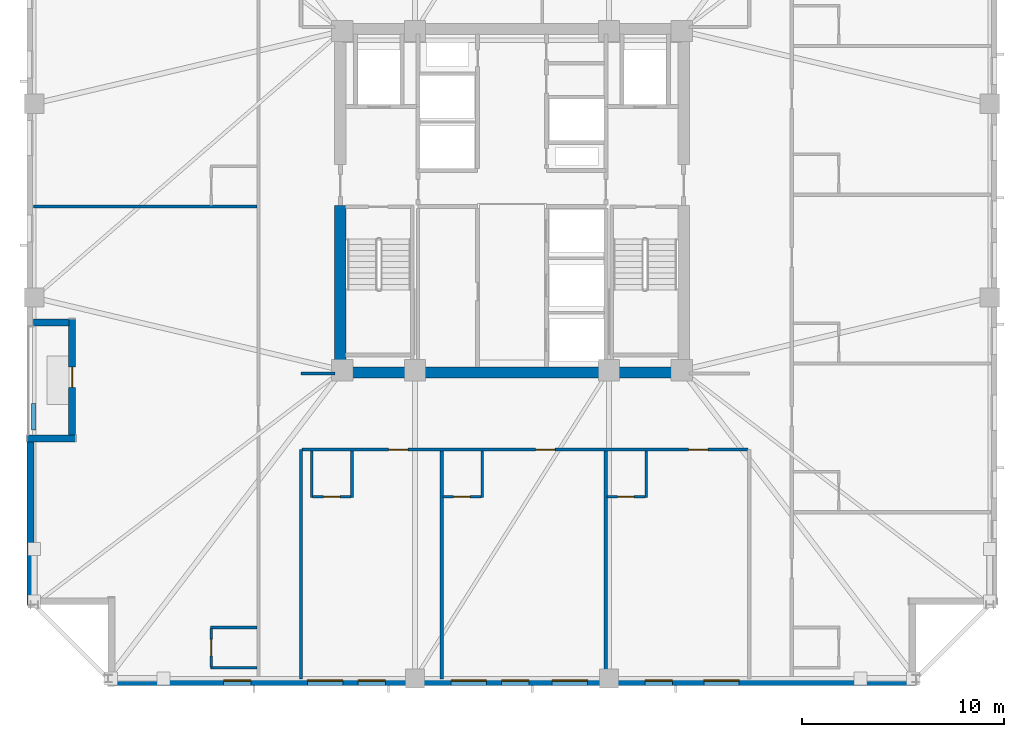
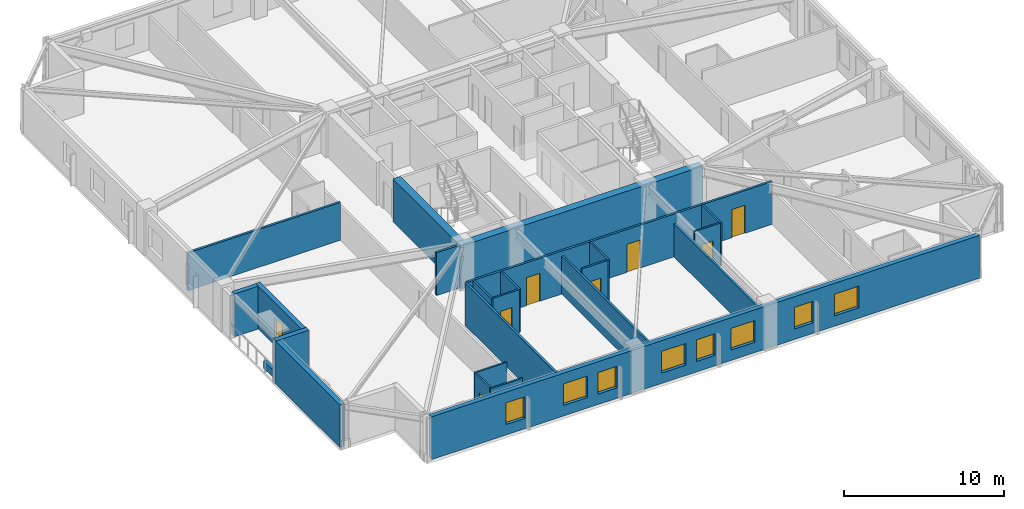
# One storey, part 2 of 11: 24 walls, 8 doors, 8 windows, 16 openings.
"""IFC4 building model written with IfcOpenShell, lengths in metres."""

from ifc_helpers import new_model, si_unit, direction, frame, frame_2d, origin, place, context, subcontext, project, spatial, rectangle, extrude, material, layer, layer_set, type_object, element, fill, save


model = new_model("IFC4")

# Units and contexts
model_context = context("Model", 3, precision=1e-05, world=origin(), true_north=direction((0.0, 1.0)))
body_context = subcontext(model_context, "Body", "Model", "MODEL_VIEW")
ifc_project = project(units=[si_unit("LENGTHUNIT", "METRE"), si_unit("AREAUNIT", "SQUARE_METRE"), si_unit("VOLUMEUNIT", "CUBIC_METRE"), si_unit("PLANEANGLEUNIT", "RADIAN"), si_unit("MASSUNIT", "GRAM", prefix="KILO")], contexts=[model_context])

# Site, building, storey
site_placement = place(None, origin())
site = spatial("IfcSite", under=ifc_project, at=site_placement, CompositionType="ELEMENT")
building_placement = place(site_placement, origin())
building = spatial("IfcBuilding", under=site, at=building_placement, Name="Cairnveth Concourse Tower", CompositionType="ELEMENT")
storey_placement = place(building_placement, frame((0.0, 0.0, 134.0)))
storey = spatial("IfcBuildingStorey", under=building, at=storey_placement, Name="L36", CompositionType="ELEMENT", Elevation=134.0)

# Walls
ifc_material_1 = material(Name="Gypsum Plasterboard Partition", Category="gypsum")
ifc_layer_1 = layer(ifc_material_1, 0.159912109375)
ifc_layer_set_1 = layer_set([ifc_layer_1], Name="Gypsum Plasterboard Partition")
wall_type_1 = type_object("IfcWallType", Name="ACOUSTIC PARTY WALL 180", PredefinedType="PARTITIONING", material=ifc_layer_set_1)
wall_1_placement = place(storey_placement, frame((41.550048828125, 15.324951171875, 0.0), z_axis=(0.0, 0.0, 1.0), x_axis=(0.0, 1.0, 0.0)))
element("IfcWall", 1, at=wall_1_placement, inside=storey, type_object=wall_type_1, Name="Interior Wall IW-L36-037", PredefinedType="PARTITIONING", context=body_context, shape_type="SweptSolid", body=[
    extrude(rectangle(XDim=11.35498046875, YDim=0.159912109375, at=frame_2d((5.677490234375, 0.0))), origin(), (0.0, 0.0, 1.0), 3.280029296875),
])
wall_2_placement = place(storey_placement, frame((41.550048828125, 30.449951171875, 0.0), z_axis=(0.0, 0.0, 1.0), x_axis=(1.0, 0.0, 0.0)))
element("IfcWall", 2, at=wall_2_placement, inside=storey, type_object=wall_type_1, Name="Interior Wall IW-L36-039", PredefinedType="PARTITIONING", context=body_context, shape_type="SweptSolid", body=[
    extrude(rectangle(XDim=1.68505859375, YDim=0.159912109375, at=frame_2d((0.842529296875, 0.0))), origin(), (0.0, 0.0, 1.0), 3.280029296875),
])

# Wall, openings, doors
wall_3_placement = place(storey_placement, frame((41.614990234375, 26.679931640625, 0.0), z_axis=(0.0, 0.0, 1.0), x_axis=(1.0, 0.0, 0.0)))
wall_3 = element("IfcWall", 3, at=wall_3_placement, inside=storey, type_object=wall_type_1, Name="Interior Wall IW-L36-046", PredefinedType="PARTITIONING", context=body_context, shape_type="SweptSolid", body=[
    extrude(rectangle(XDim=22.070068359375, YDim=0.159912109375, at=frame_2d((11.03515625, 0.0))), origin(), (0.0, 0.0, 1.0), 3.280029296875),
])
opening_1_placement = place(wall_3_placement, frame((4.281005859375, 0.0, 0.0)))
opening_1 = element("IfcOpeningElement", 4, at=opening_1_placement, cuts=wall_3, Name="Opening ID09", PredefinedType="OPENING", context=body_context, shape_type="SweptSolid", body=[
    extrude(rectangle(XDim=0.9599609375, YDim=2.14990234375, at=frame_2d((0.47998046875, 1.074951171875))), frame((0.0, 0.08984375, 0.0), z_axis=(0.0, -1.0, 0.0), x_axis=(1.0, 0.0, 0.0)), (0.0, 0.0, 1.0), 0.179931640625),
])
opening_2_placement = place(wall_3_placement, frame((11.56005859375, 0.0, 0.0)))
opening_2 = element("IfcOpeningElement", 5, at=opening_2_placement, cuts=wall_3, Name="Opening ID09", PredefinedType="OPENING", context=body_context, shape_type="SweptSolid", body=[
    extrude(rectangle(XDim=0.9599609375, YDim=2.14990234375, at=frame_2d((0.47998046875, 1.074951171875))), frame((0.0, 0.08984375, 0.0), z_axis=(0.0, -1.0, 0.0), x_axis=(1.0, 0.0, 0.0)), (0.0, 0.0, 1.0), 0.179931640625),
])
opening_3_placement = place(wall_3_placement, frame((19.13427734375, 0.0, 0.0)))
opening_3 = element("IfcOpeningElement", 6, at=opening_3_placement, cuts=wall_3, Name="Opening ID09", PredefinedType="OPENING", context=body_context, shape_type="SweptSolid", body=[
    extrude(rectangle(XDim=0.9599609375, YDim=2.14990234375, at=frame_2d((0.47998046875, 1.074951171875))), frame((0.0, 0.08984375, 0.0), z_axis=(0.0, -1.0, 0.0), x_axis=(1.0, 0.0, 0.0)), (0.0, 0.0, 1.0), 0.179931640625),
])
ifc_material_2 = material(Name="Solid Core Hardwood Timber Leaf", Category="wood")
door_type_1 = type_object("IfcDoorType", Name="HOTEL ENTRANCE DOOR 960X2150", OperationType="NOTDEFINED", PredefinedType="DOOR", material=ifc_material_2)
door_1_placement = place(opening_1_placement, origin())
door_1 = element("IfcDoor", 7, at=door_1_placement, inside=storey, type_object=door_type_1, Name="Hotel Room Door L36-S1", OperationType="SINGLE_SWING_LEFT", OverallHeight=2.14990234375, OverallWidth=0.9599609375, PredefinedType="DOOR", context=body_context, shape_type="SweptSolid", body=[
    extrude(rectangle(XDim=0.9599609375, YDim=2.14990234375, at=frame_2d((0.47998046875, 1.074951171875))), frame((0.0, 0.02490234375, 0.0), z_axis=(0.0, -1.0, 0.0), x_axis=(1.0, 0.0, 0.0)), (0.0, 0.0, 1.0), 0.050048828125),
])
fill(opening_1, door_1)
door_2_placement = place(opening_2_placement, origin())
door_2 = element("IfcDoor", 8, at=door_2_placement, inside=storey, type_object=door_type_1, Name="Hotel Room Door L36-S2", OperationType="SINGLE_SWING_LEFT", OverallHeight=2.14990234375, OverallWidth=0.9599609375, PredefinedType="DOOR", context=body_context, shape_type="SweptSolid", body=[
    extrude(rectangle(XDim=0.9599609375, YDim=2.14990234375, at=frame_2d((0.47998046875, 1.074951171875))), frame((0.0, 0.02490234375, 0.0), z_axis=(0.0, -1.0, 0.0), x_axis=(1.0, 0.0, 0.0)), (0.0, 0.0, 1.0), 0.050048828125),
])
fill(opening_2, door_2)
door_3_placement = place(opening_3_placement, origin())
door_3 = element("IfcDoor", 9, at=door_3_placement, inside=storey, type_object=door_type_1, Name="Hotel Room Door L36-S3", OperationType="SINGLE_SWING_LEFT", OverallHeight=2.14990234375, OverallWidth=0.9599609375, PredefinedType="DOOR", context=body_context, shape_type="SweptSolid", body=[
    extrude(rectangle(XDim=0.9599609375, YDim=2.14990234375, at=frame_2d((0.47998046875, 1.074951171875))), frame((0.0, 0.02490234375, 0.0), z_axis=(0.0, -1.0, 0.0), x_axis=(1.0, 0.0, 0.0)), (0.0, 0.0, 1.0), 0.050048828125),
])
fill(opening_3, door_3)

# Walls
wall_4_placement = place(storey_placement, frame((48.521728515625, 15.324951171875, 0.0), z_axis=(0.0, 0.0, 1.0), x_axis=(0.0, 1.0, 0.0)))
element("IfcWall", 10, at=wall_4_placement, inside=storey, type_object=wall_type_1, Name="Interior Wall IW-L36-052", PredefinedType="PARTITIONING", context=body_context, shape_type="SweptSolid", body=[
    extrude(rectangle(XDim=11.275146484375, YDim=0.159912109375, at=frame_2d((5.6376953125, 0.0))), origin(), (0.0, 0.0, 1.0), 2.89599609375),
])
wall_5_placement = place(storey_placement, frame((56.63818359375, 15.324951171875, 0.0), z_axis=(0.0, 0.0, 1.0), x_axis=(0.0, 1.0, 0.0)))
element("IfcWall", 11, at=wall_5_placement, inside=storey, type_object=wall_type_1, Name="Interior Wall IW-L36-055", PredefinedType="PARTITIONING", context=body_context, shape_type="SweptSolid", body=[
    extrude(rectangle(XDim=11.275146484375, YDim=0.159912109375, at=frame_2d((5.6376953125, 0.0))), origin(), (0.0, 0.0, 1.0), 2.554931640625),
])
wall_6_placement = place(storey_placement, frame((28.324951171875, 38.704345703125, 0.0), z_axis=(0.0, 0.0, 1.0), x_axis=(1.0, 0.0, 0.0)))
element("IfcWall", 12, at=wall_6_placement, inside=storey, type_object=wall_type_1, Name="Interior Wall IW-L36-061", PredefinedType="PARTITIONING", context=body_context, shape_type="SweptSolid", body=[
    extrude(rectangle(XDim=11.045166015625, YDim=0.159912109375, at=frame_2d((5.5224609375, 0.0))), origin(), (0.0, 0.0, 1.0), 2.89599609375),
])
ifc_material_3 = material(Name="Concrete N80 (80 MPa)", Category="concrete")
ifc_layer_2 = layer(ifc_material_3, 0.550048828125)
ifc_layer_set_2 = layer_set([ifc_layer_2], Name="Concrete N80 (80 MPa)")
wall_type_2 = type_object("IfcWallType", Name="CORE SHEAR WALL 550", PredefinedType="SHEAR", material=ifc_layer_set_2)
wall_7_placement = place(storey_placement, frame((43.22509765625, 30.5, 0.0), z_axis=(0.0, 0.0, 1.0), x_axis=(1.0, 0.0, 0.0)))
element("IfcWall", 13, at=wall_7_placement, inside=storey, type_object=wall_type_2, Name="Core South Shear Wall L36", PredefinedType="SHEAR", context=body_context, shape_type="SweptSolid", body=[
    extrude(rectangle(XDim=17.5498046875, YDim=0.550048828125, at=frame_2d((8.77490234375, 0.0))), origin(), (0.0, 0.0, 1.0), 3.280029296875),
])
wall_8_placement = place(storey_placement, frame((43.5, 30.764892578125, 0.0), z_axis=(0.0, 0.0, 1.0), x_axis=(0.0, 1.0, 0.0)))
element("IfcWall", 14, at=wall_8_placement, inside=storey, type_object=wall_type_2, Name="Core West Shear Wall S L36", PredefinedType="SHEAR", context=body_context, shape_type="SweptSolid", body=[
    extrude(rectangle(XDim=7.985107421875, YDim=0.550048828125, at=frame_2d((3.99267578125, 0.0))), origin(), (0.0, 0.0, 1.0), 3.280029296875),
])
ifc_material_4 = material(Name="Dressed Melbourne Bluestone Cladding", Category="masonry")
ifc_layer_3 = layer(ifc_material_4, 0.219970703125)
ifc_layer_set_3 = layer_set([ifc_layer_3], Name="Dressed Melbourne Bluestone Cladding")
wall_type_3 = type_object("IfcWallType", Name="TERRACE PLANTER CURB WALL 220", PredefinedType="PARAPET", material=ifc_layer_set_3)
wall_9_placement = place(storey_placement, frame((28.320068359375, 27.64990234375, 0.0), z_axis=(0.0, 0.0, 1.0), x_axis=(0.0, 1.0, 0.0)))
element("IfcWall", 15, at=wall_9_placement, inside=storey, type_object=wall_type_3, Name="Exterior Wall PLNT-L36-TERR", PredefinedType="PARAPET", context=body_context, shape_type="SweptSolid", body=[
    extrude(rectangle(XDim=1.300048828125, YDim=0.219970703125, at=frame_2d((0.64990234375, 0.0))), origin(), (0.0, 0.0, 1.0), 0.550048828125),
])
ifc_layer_4 = layer(ifc_material_1, 0.1298828125)
ifc_layer_set_4 = layer_set([ifc_layer_4], Name="Gypsum Plasterboard Partition")
wall_type_4 = type_object("IfcWallType", Name="WET AREA PARTITION 140", PredefinedType="PLUMBINGWALL", material=ifc_layer_set_4)
for number, where, z_axis, x_axis, name in (
    (16, (42.080078125, 24.300048828125, 0.0), (0.0, 0.0, 1.0), (0.0, 1.0, 0.0), "Interior Wall IW-L36-049"),
    (17, (44.080078125, 24.300048828125, 0.0), (0.0, 0.0, 1.0), (0.0, 1.0, 0.0), "Interior Wall IW-L36-050"),
):
    element("IfcWall", number, at=place(storey_placement, frame(where, z_axis=z_axis, x_axis=x_axis)), inside=storey, type_object=wall_type_4, Name=name, PredefinedType="PLUMBINGWALL", context=body_context, shape_type="SweptSolid", body=[
        extrude(rectangle(XDim=2.31494140625, YDim=0.1298828125, at=frame_2d((1.157470703125, 0.0))), origin(), (0.0, 0.0, 1.0), 3.280029296875),
    ])

# Wall, opening, door
wall_10_placement = place(storey_placement, frame((42.1298828125, 24.35009765625, 0.0), z_axis=(0.0, 0.0, 1.0), x_axis=(1.0, 0.0, 0.0)))
wall_10 = element("IfcWall", 18, at=wall_10_placement, inside=storey, type_object=wall_type_4, Name="Interior Wall IW-L36-051", PredefinedType="PLUMBINGWALL", context=body_context, shape_type="SweptSolid", body=[
    extrude(rectangle(XDim=1.900146484375, YDim=0.1298828125, at=frame_2d((0.9501953125, 0.0))), origin(), (0.0, 0.0, 1.0), 3.280029296875),
])
opening_4_placement = place(wall_10_placement, frame((0.5400390625, 0.0, 0.0)))
opening_4 = element("IfcOpeningElement", 19, at=opening_4_placement, cuts=wall_10, Name="Opening ID22", PredefinedType="OPENING", context=body_context, shape_type="SweptSolid", body=[
    extrude(rectangle(XDim=0.820068359375, YDim=2.10009765625, at=frame_2d((0.41015625, 1.050048828125))), frame((0.0, 0.074951171875, 0.0), z_axis=(0.0, -1.0, 0.0), x_axis=(1.0, 0.0, 0.0)), (0.0, 0.0, 1.0), 0.14990234375),
])
door_type_2 = type_object("IfcDoorType", Name="INTERIOR WC DOOR 820X2100", OperationType="NOTDEFINED", PredefinedType="DOOR", material=ifc_material_2)
door_4_placement = place(opening_4_placement, origin())
door_4 = element("IfcDoor", 20, at=door_4_placement, inside=storey, type_object=door_type_2, Name="En-Suite Door L36-S1", OperationType="SINGLE_SWING_RIGHT", OverallHeight=2.10009765625, OverallWidth=0.820068359375, PredefinedType="DOOR", context=body_context, shape_type="SweptSolid", body=[
    extrude(rectangle(XDim=0.820068359375, YDim=2.10009765625, at=frame_2d((0.41015625, 1.050048828125))), frame((0.0, 0.02490234375, 0.0), z_axis=(0.0, -1.0, 0.0), x_axis=(1.0, 0.0, 0.0)), (0.0, 0.0, 1.0), 0.050048828125),
])
fill(opening_4, door_4)

# Wall
wall_11_placement = place(storey_placement, frame((50.521728515625, 24.300048828125, 0.0), z_axis=(0.0, 0.0, 1.0), x_axis=(0.0, 1.0, 0.0)))
element("IfcWall", 21, at=wall_11_placement, inside=storey, type_object=wall_type_4, Name="Interior Wall IW-L36-053", PredefinedType="PLUMBINGWALL", context=body_context, shape_type="SweptSolid", body=[
    extrude(rectangle(XDim=2.31494140625, YDim=0.1298828125, at=frame_2d((1.157470703125, 0.0))), origin(), (0.0, 0.0, 1.0), 3.280029296875),
])

# Wall, opening, door
wall_12_placement = place(storey_placement, frame((48.586669921875, 24.35009765625, 0.0), z_axis=(0.0, 0.0, 1.0), x_axis=(1.0, 0.0, 0.0)))
wall_12 = element("IfcWall", 22, at=wall_12_placement, inside=storey, type_object=wall_type_4, Name="Interior Wall IW-L36-054", PredefinedType="PLUMBINGWALL", context=body_context, shape_type="SweptSolid", body=[
    extrude(rectangle(XDim=1.885009765625, YDim=0.1298828125, at=frame_2d((0.9423828125, 0.0))), origin(), (0.0, 0.0, 1.0), 3.280029296875),
])
opening_5_placement = place(wall_12_placement, frame((0.52490234375, 0.0, 0.0)))
opening_5 = element("IfcOpeningElement", 23, at=opening_5_placement, cuts=wall_12, Name="Opening ID22", PredefinedType="OPENING", context=body_context, shape_type="SweptSolid", body=[
    extrude(rectangle(XDim=0.820068359375, YDim=2.10009765625, at=frame_2d((0.41015625, 1.050048828125))), frame((0.0, 0.074951171875, 0.0), z_axis=(0.0, -1.0, 0.0), x_axis=(1.0, 0.0, 0.0)), (0.0, 0.0, 1.0), 0.14990234375),
])
door_5_placement = place(opening_5_placement, origin())
door_5 = element("IfcDoor", 24, at=door_5_placement, inside=storey, type_object=door_type_2, Name="En-Suite Door L36-S2", OperationType="SINGLE_SWING_RIGHT", OverallHeight=2.10009765625, OverallWidth=0.820068359375, PredefinedType="DOOR", context=body_context, shape_type="SweptSolid", body=[
    extrude(rectangle(XDim=0.820068359375, YDim=2.10009765625, at=frame_2d((0.41015625, 1.050048828125))), frame((0.0, 0.02490234375, 0.0), z_axis=(0.0, -1.0, 0.0), x_axis=(1.0, 0.0, 0.0)), (0.0, 0.0, 1.0), 0.050048828125),
])
fill(opening_5, door_5)

# Wall
wall_13_placement = place(storey_placement, frame((58.63818359375, 24.300048828125, 0.0), z_axis=(0.0, 0.0, 1.0), x_axis=(0.0, 1.0, 0.0)))
element("IfcWall", 25, at=wall_13_placement, inside=storey, type_object=wall_type_4, Name="Interior Wall IW-L36-056", PredefinedType="PLUMBINGWALL", context=body_context, shape_type="SweptSolid", body=[
    extrude(rectangle(XDim=2.31494140625, YDim=0.1298828125, at=frame_2d((1.157470703125, 0.0))), origin(), (0.0, 0.0, 1.0), 3.280029296875),
])

# Wall, opening, door
wall_14_placement = place(storey_placement, frame((56.703369140625, 24.35009765625, 0.0), z_axis=(0.0, 0.0, 1.0), x_axis=(1.0, 0.0, 0.0)))
wall_14 = element("IfcWall", 26, at=wall_14_placement, inside=storey, type_object=wall_type_4, Name="Interior Wall IW-L36-057", PredefinedType="PLUMBINGWALL", context=body_context, shape_type="SweptSolid", body=[
    extrude(rectangle(XDim=1.885009765625, YDim=0.1298828125, at=frame_2d((0.9423828125, 0.0))), origin(), (0.0, 0.0, 1.0), 3.280029296875),
])
opening_6_placement = place(wall_14_placement, frame((0.52490234375, 0.0, 0.0)))
opening_6 = element("IfcOpeningElement", 27, at=opening_6_placement, cuts=wall_14, Name="Opening ID22", PredefinedType="OPENING", context=body_context, shape_type="SweptSolid", body=[
    extrude(rectangle(XDim=0.820068359375, YDim=2.10009765625, at=frame_2d((0.41015625, 1.050048828125))), frame((0.0, 0.074951171875, 0.0), z_axis=(0.0, -1.0, 0.0), x_axis=(1.0, 0.0, 0.0)), (0.0, 0.0, 1.0), 0.14990234375),
])
door_6_placement = place(opening_6_placement, origin())
door_6 = element("IfcDoor", 28, at=door_6_placement, inside=storey, type_object=door_type_2, Name="En-Suite Door L36-S3", OperationType="SINGLE_SWING_RIGHT", OverallHeight=2.10009765625, OverallWidth=0.820068359375, PredefinedType="DOOR", context=body_context, shape_type="SweptSolid", body=[
    extrude(rectangle(XDim=0.820068359375, YDim=2.10009765625, at=frame_2d((0.41015625, 1.050048828125))), frame((0.0, 0.02490234375, 0.0), z_axis=(0.0, -1.0, 0.0), x_axis=(1.0, 0.0, 0.0)), (0.0, 0.0, 1.0), 0.050048828125),
])
fill(opening_6, door_6)

# Walls
for number, where, z_axis, x_axis, name in (
    (29, (37.070068359375, 15.8701171875, 0.0), (0.0, 0.0, 1.0), (1.0, 0.0, 0.0), "Interior Wall IW-L36-058"),
    (30, (37.070068359375, 17.8701171875, 0.0), (0.0, 0.0, 1.0), (1.0, 0.0, 0.0), "Interior Wall IW-L36-059"),
):
    element("IfcWall", number, at=place(storey_placement, frame(where, z_axis=z_axis, x_axis=x_axis)), inside=storey, type_object=wall_type_4, Name=name, PredefinedType="PLUMBINGWALL", context=body_context, shape_type="SweptSolid", body=[
        extrude(rectangle(XDim=2.31494140625, YDim=0.1298828125, at=frame_2d((1.157470703125, 0.0))), origin(), (0.0, 0.0, 1.0), 3.280029296875),
    ])

# Wall, opening, door
wall_15_placement = place(storey_placement, frame((37.1201171875, 15.919921875, 0.0), z_axis=(0.0, 0.0, 1.0), x_axis=(0.0, 1.0, 0.0)))
wall_15 = element("IfcWall", 31, at=wall_15_placement, inside=storey, type_object=wall_type_4, Name="Interior Wall IW-L36-060", PredefinedType="PLUMBINGWALL", context=body_context, shape_type="SweptSolid", body=[
    extrude(rectangle(XDim=1.900146484375, YDim=0.1298828125, at=frame_2d((0.9501953125, 0.0))), origin(), (0.0, 0.0, 1.0), 3.280029296875),
])
opening_7_placement = place(wall_15_placement, frame((0.5400390625, 0.0, 0.0)))
opening_7 = element("IfcOpeningElement", 32, at=opening_7_placement, cuts=wall_15, Name="Opening ID22", PredefinedType="OPENING", context=body_context, shape_type="SweptSolid", body=[
    extrude(rectangle(XDim=0.820068359375, YDim=2.10009765625, at=frame_2d((0.41015625, 1.050048828125))), frame((0.0, 0.074951171875, 0.0), z_axis=(0.0, -1.0, 0.0), x_axis=(1.0, 0.0, 0.0)), (0.0, 0.0, 1.0), 0.14990234375),
])
door_7_placement = place(opening_7_placement, origin())
door_7 = element("IfcDoor", 33, at=door_7_placement, inside=storey, type_object=door_type_2, Name="En-Suite Door L36-W1", OperationType="SINGLE_SWING_RIGHT", OverallHeight=2.10009765625, OverallWidth=0.820068359375, PredefinedType="DOOR", context=body_context, shape_type="SweptSolid", body=[
    extrude(rectangle(XDim=0.820068359375, YDim=2.10009765625, at=frame_2d((0.41015625, 1.050048828125))), frame((0.0, 0.02490234375, 0.0), z_axis=(0.0, -1.0, 0.0), x_axis=(1.0, 0.0, 0.0)), (0.0, 0.0, 1.0), 0.050048828125),
])
fill(opening_7, door_7)

# Wall, openings, windows
ifc_material_5 = material(Name="Hawthorn Red-Ochre Fired Clay Brick Masonry", Category="masonry")
ifc_layer_5 = layer(ifc_material_5, 0.340087890625)
ifc_layer_set_5 = layer_set([ifc_layer_5], Name="Hawthorn Red-Ochre Fired Clay Brick Masonry")
wall_type_5 = type_object("IfcWallType", Name="ZONE 2 BRICK PIER SPANDREL WALL 340", PredefinedType="SOLIDWALL", material=ifc_layer_set_5)
wall_16_placement = place(storey_placement, frame((72.0, 15.169921875, 0.0), z_axis=(0.0, 0.0, 1.0), x_axis=(-1.0, 0.0, 0.0)))
wall_16 = element("IfcWall", 34, at=wall_16_placement, inside=storey, type_object=wall_type_5, Name="Exterior Wall EW-L36-S09", PredefinedType="SOLIDWALL", context=body_context, shape_type="SweptSolid", body=[
    extrude(rectangle(XDim=39.681884765625, YDim=0.340087890625, at=frame_2d((19.8408203125, 0.0))), origin(), (0.0, 0.0, 1.0), 3.280029296875),
])
opening_8_placement = place(wall_16_placement, frame((8.75537109375, 0.0, 0.800048828125)))
opening_8 = element("IfcOpeningElement", 35, at=opening_8_placement, cuts=wall_16, Name="Opening W06", PredefinedType="OPENING", context=body_context, shape_type="SweptSolid", body=[
    extrude(rectangle(XDim=1.75, YDim=1.659912109375, at=frame_2d((0.875, 0.830078125))), frame((0.0, 0.179931640625, 0.0), z_axis=(0.0, -1.0, 0.0), x_axis=(1.0, 0.0, 0.0)), (0.0, 0.0, 1.0), 0.360107421875),
])
opening_9_placement = place(wall_16_placement, frame((12.058837890625, 0.0, 0.800048828125)))
opening_9 = element("IfcOpeningElement", 36, at=opening_9_placement, cuts=wall_16, Name="Opening W02", PredefinedType="OPENING", context=body_context, shape_type="SweptSolid", body=[
    extrude(rectangle(XDim=1.35009765625, YDim=1.659912109375, at=frame_2d((0.675048828125, 0.830078125))), frame((0.0, 0.179931640625, 0.0), z_axis=(0.0, -1.0, 0.0), x_axis=(1.0, 0.0, 0.0)), (0.0, 0.0, 1.0), 0.360107421875),
])
opening_10_placement = place(wall_16_placement, frame((16.262451171875, 0.0, 0.800048828125)))
opening_10 = element("IfcOpeningElement", 37, at=opening_10_placement, cuts=wall_16, Name="Opening W06", PredefinedType="OPENING", context=body_context, shape_type="SweptSolid", body=[
    extrude(rectangle(XDim=1.75, YDim=1.659912109375, at=frame_2d((0.875, 0.830078125))), frame((0.0, 0.179931640625, 0.0), z_axis=(0.0, -1.0, 0.0), x_axis=(1.0, 0.0, 0.0)), (0.0, 0.0, 1.0), 0.360107421875),
])
opening_11_placement = place(wall_16_placement, frame((19.166015625, 0.0, 0.800048828125)))
opening_11 = element("IfcOpeningElement", 38, at=opening_11_placement, cuts=wall_16, Name="Opening W02", PredefinedType="OPENING", context=body_context, shape_type="SweptSolid", body=[
    extrude(rectangle(XDim=1.35009765625, YDim=1.659912109375, at=frame_2d((0.675048828125, 0.830078125))), frame((0.0, 0.179931640625, 0.0), z_axis=(0.0, -1.0, 0.0), x_axis=(1.0, 0.0, 0.0)), (0.0, 0.0, 1.0), 0.360107421875),
])
opening_12_placement = place(wall_16_placement, frame((21.26953125, 0.0, 0.800048828125)))
opening_12 = element("IfcOpeningElement", 39, at=opening_12_placement, cuts=wall_16, Name="Opening W06", PredefinedType="OPENING", context=body_context, shape_type="SweptSolid", body=[
    extrude(rectangle(XDim=1.75, YDim=1.659912109375, at=frame_2d((0.875, 0.830078125))), frame((0.0, 0.179931640625, 0.0), z_axis=(0.0, -1.0, 0.0), x_axis=(1.0, 0.0, 0.0)), (0.0, 0.0, 1.0), 0.360107421875),
])
opening_13_placement = place(wall_16_placement, frame((26.273193359375, 0.0, 0.800048828125)))
opening_13 = element("IfcOpeningElement", 40, at=opening_13_placement, cuts=wall_16, Name="Opening W02", PredefinedType="OPENING", context=body_context, shape_type="SweptSolid", body=[
    extrude(rectangle(XDim=1.35009765625, YDim=1.659912109375, at=frame_2d((0.675048828125, 0.830078125))), frame((0.0, 0.179931640625, 0.0), z_axis=(0.0, -1.0, 0.0), x_axis=(1.0, 0.0, 0.0)), (0.0, 0.0, 1.0), 0.360107421875),
])
opening_14_placement = place(wall_16_placement, frame((28.376708984375, 0.0, 0.800048828125)))
opening_14 = element("IfcOpeningElement", 41, at=opening_14_placement, cuts=wall_16, Name="Opening W06", PredefinedType="OPENING", context=body_context, shape_type="SweptSolid", body=[
    extrude(rectangle(XDim=1.75, YDim=1.659912109375, at=frame_2d((0.875, 0.830078125))), frame((0.0, 0.179931640625, 0.0), z_axis=(0.0, -1.0, 0.0), x_axis=(1.0, 0.0, 0.0)), (0.0, 0.0, 1.0), 0.360107421875),
])
opening_15_placement = place(wall_16_placement, frame((32.93017578125, 0.0, 0.800048828125)))
opening_15 = element("IfcOpeningElement", 42, at=opening_15_placement, cuts=wall_16, Name="Opening W02", PredefinedType="OPENING", context=body_context, shape_type="SweptSolid", body=[
    extrude(rectangle(XDim=1.35009765625, YDim=1.659912109375, at=frame_2d((0.675048828125, 0.830078125))), frame((0.0, 0.179931640625, 0.0), z_axis=(0.0, -1.0, 0.0), x_axis=(1.0, 0.0, 0.0)), (0.0, 0.0, 1.0), 0.360107421875),
])
ifc_material_6 = material(Name="Double Glazed Low-E Clear Glass", Category="glass")
window_type_1 = type_object("IfcWindowType", Name="DEEP-SET GOTHIC LANCET WINDOW 1350X1800", PartitioningType="DOUBLE_PANEL_VERTICAL", PredefinedType="WINDOW", material=ifc_material_6)
window_1_placement = place(opening_9_placement, origin())
window_1 = element("IfcWindow", 43, at=window_1_placement, inside=storey, type_object=window_type_1, Name="Gothic Lancet Window L36-9-3", OverallHeight=1.659912109375, OverallWidth=1.35009765625, PartitioningType="SINGLE_PANEL", PredefinedType="WINDOW", context=body_context, shape_type="SweptSolid", body=[
    extrude(rectangle(XDim=1.35009765625, YDim=1.659912109375, at=frame_2d((0.675048828125, 0.830078125))), frame((0.0, -0.050048828125, 0.0), z_axis=(0.0, -1.0, 0.0), x_axis=(1.0, 0.0, 0.0)), (0.0, 0.0, 1.0), 0.06005859375),
])
fill(opening_9, window_1)
window_2_placement = place(opening_11_placement, origin())
window_2 = element("IfcWindow", 44, at=window_2_placement, inside=storey, type_object=window_type_1, Name="Gothic Lancet Window L36-9-5", OverallHeight=1.659912109375, OverallWidth=1.35009765625, PartitioningType="SINGLE_PANEL", PredefinedType="WINDOW", context=body_context, shape_type="SweptSolid", body=[
    extrude(rectangle(XDim=1.35009765625, YDim=1.659912109375, at=frame_2d((0.675048828125, 0.830078125))), frame((0.0, -0.050048828125, 0.0), z_axis=(0.0, -1.0, 0.0), x_axis=(1.0, 0.0, 0.0)), (0.0, 0.0, 1.0), 0.06005859375),
])
fill(opening_11, window_2)
window_3_placement = place(opening_13_placement, origin())
window_3 = element("IfcWindow", 45, at=window_3_placement, inside=storey, type_object=window_type_1, Name="Gothic Lancet Window L36-9-7", OverallHeight=1.659912109375, OverallWidth=1.35009765625, PartitioningType="SINGLE_PANEL", PredefinedType="WINDOW", context=body_context, shape_type="SweptSolid", body=[
    extrude(rectangle(XDim=1.35009765625, YDim=1.659912109375, at=frame_2d((0.675048828125, 0.830078125))), frame((0.0, -0.050048828125, 0.0), z_axis=(0.0, -1.0, 0.0), x_axis=(1.0, 0.0, 0.0)), (0.0, 0.0, 1.0), 0.06005859375),
])
fill(opening_13, window_3)
window_4_placement = place(opening_15_placement, origin())
window_4 = element("IfcWindow", 46, at=window_4_placement, inside=storey, type_object=window_type_1, Name="Gothic Lancet Window L36-9-9", OverallHeight=1.659912109375, OverallWidth=1.35009765625, PartitioningType="SINGLE_PANEL", PredefinedType="WINDOW", context=body_context, shape_type="SweptSolid", body=[
    extrude(rectangle(XDim=1.35009765625, YDim=1.659912109375, at=frame_2d((0.675048828125, 0.830078125))), frame((0.0, -0.050048828125, 0.0), z_axis=(0.0, -1.0, 0.0), x_axis=(1.0, 0.0, 0.0)), (0.0, 0.0, 1.0), 0.06005859375),
])
fill(opening_15, window_4)
window_type_2 = type_object("IfcWindowType", Name="DEEP-SET HOTEL SUITE WINDOW 1750X1800", PartitioningType="DOUBLE_PANEL_VERTICAL", PredefinedType="WINDOW", material=ifc_material_6)
window_5_placement = place(opening_8_placement, origin())
window_5 = element("IfcWindow", 47, at=window_5_placement, inside=storey, type_object=window_type_2, Name="Gothic Lancet Window L36-9-2", OverallHeight=1.659912109375, OverallWidth=1.75, PartitioningType="SINGLE_PANEL", PredefinedType="WINDOW", context=body_context, shape_type="SweptSolid", body=[
    extrude(rectangle(XDim=1.75, YDim=1.659912109375, at=frame_2d((0.875, 0.830078125))), frame((0.0, -0.050048828125, 0.0), z_axis=(0.0, -1.0, 0.0), x_axis=(1.0, 0.0, 0.0)), (0.0, 0.0, 1.0), 0.06005859375),
])
fill(opening_8, window_5)
window_6_placement = place(opening_10_placement, origin())
window_6 = element("IfcWindow", 48, at=window_6_placement, inside=storey, type_object=window_type_2, Name="Gothic Lancet Window L36-9-4", OverallHeight=1.659912109375, OverallWidth=1.75, PartitioningType="SINGLE_PANEL", PredefinedType="WINDOW", context=body_context, shape_type="SweptSolid", body=[
    extrude(rectangle(XDim=1.75, YDim=1.659912109375, at=frame_2d((0.875, 0.830078125))), frame((0.0, -0.050048828125, 0.0), z_axis=(0.0, -1.0, 0.0), x_axis=(1.0, 0.0, 0.0)), (0.0, 0.0, 1.0), 0.06005859375),
])
fill(opening_10, window_6)
window_7_placement = place(opening_12_placement, origin())
window_7 = element("IfcWindow", 49, at=window_7_placement, inside=storey, type_object=window_type_2, Name="Gothic Lancet Window L36-9-6", OverallHeight=1.659912109375, OverallWidth=1.75, PartitioningType="SINGLE_PANEL", PredefinedType="WINDOW", context=body_context, shape_type="SweptSolid", body=[
    extrude(rectangle(XDim=1.75, YDim=1.659912109375, at=frame_2d((0.875, 0.830078125))), frame((0.0, -0.050048828125, 0.0), z_axis=(0.0, -1.0, 0.0), x_axis=(1.0, 0.0, 0.0)), (0.0, 0.0, 1.0), 0.06005859375),
])
fill(opening_12, window_7)
window_8_placement = place(opening_14_placement, origin())
window_8 = element("IfcWindow", 50, at=window_8_placement, inside=storey, type_object=window_type_2, Name="Gothic Lancet Window L36-9-8", OverallHeight=1.659912109375, OverallWidth=1.75, PartitioningType="SINGLE_PANEL", PredefinedType="WINDOW", context=body_context, shape_type="SweptSolid", body=[
    extrude(rectangle(XDim=1.75, YDim=1.659912109375, at=frame_2d((0.875, 0.830078125))), frame((0.0, -0.050048828125, 0.0), z_axis=(0.0, -1.0, 0.0), x_axis=(1.0, 0.0, 0.0)), (0.0, 0.0, 1.0), 0.06005859375),
])
fill(opening_14, window_8)

# Walls
wall_17_placement = place(storey_placement, frame((28.169921875, 19.0, 0.0), z_axis=(0.0, 0.0, 1.0), x_axis=(0.0, 1.0, 0.0)))
element("IfcWall", 51, at=wall_17_placement, inside=storey, type_object=wall_type_5, Name="Exterior Wall EW-L36-S12", PredefinedType="SOLIDWALL", context=body_context, shape_type="SweptSolid", body=[
    extrude(rectangle(XDim=8.08203125, YDim=0.340087890625, at=frame_2d((4.041015625, 0.0))), origin(), (0.0, 0.0, 1.0), 3.280029296875),
])
wall_18_placement = place(storey_placement, frame((28.0, 27.22998046875, 0.0), z_axis=(0.0, 0.0, 1.0), x_axis=(1.0, 0.0, 0.0)))
element("IfcWall", 52, at=wall_18_placement, inside=storey, type_object=wall_type_5, Name="Exterior Wall EW-L36-S13", PredefinedType="SOLIDWALL", context=body_context, shape_type="SweptSolid", body=[
    extrude(rectangle(XDim=2.389892578125, YDim=0.340087890625, at=frame_2d((1.19482421875, 0.0))), origin(), (0.0, 0.0, 1.0), 3.280029296875),
])

# Wall, opening, door
wall_19_placement = place(storey_placement, frame((30.219970703125, 27.3779296875, 0.0), z_axis=(0.0, 0.0, 1.0), x_axis=(0.0, 1.0, 0.0)))
wall_19 = element("IfcWall", 53, at=wall_19_placement, inside=storey, type_object=wall_type_5, Name="Exterior Wall EW-L36-S14", PredefinedType="SOLIDWALL", context=body_context, shape_type="SweptSolid", body=[
    extrude(rectangle(XDim=5.761962890625, YDim=0.340087890625, at=frame_2d((2.880859375, 0.0))), origin(), (0.0, 0.0, 1.0), 3.280029296875),
])
opening_16_placement = place(wall_19_placement, frame((2.381103515625, 0.0, 0.0)))
opening_16 = element("IfcOpeningElement", 54, at=opening_16_placement, cuts=wall_19, Name="Opening ED4", PredefinedType="OPENING", context=body_context, shape_type="SweptSolid", body=[
    extrude(rectangle(XDim=1.0, YDim=2.14990234375, at=frame_2d((0.5, 1.074951171875))), frame((0.0, 0.179931640625, 0.0), z_axis=(0.0, -1.0, 0.0), x_axis=(1.0, 0.0, 0.0)), (0.0, 0.0, 1.0), 0.360107421875),
])
ifc_material_7 = material(Name="Architectural Bronze Anodised Aluminium 6063-T6", Category="aluminium")
door_type_3 = type_object("IfcDoorType", Name="TERRACE GLAZED DOOR 1000X2150", OperationType="NOTDEFINED", PredefinedType="DOOR", material=ifc_material_7)
door_8_placement = place(opening_16_placement, origin())
door_8 = element("IfcDoor", 55, at=door_8_placement, inside=storey, type_object=door_type_3, Name="Spiral Terrace Door L36", OperationType="SINGLE_SWING_LEFT", OverallHeight=2.14990234375, OverallWidth=1.0, PredefinedType="DOOR", context=body_context, shape_type="SweptSolid", body=[
    extrude(rectangle(XDim=1.0, YDim=2.14990234375, at=frame_2d((0.5, 1.074951171875))), frame((0.0, 0.02490234375, 0.0), z_axis=(0.0, -1.0, 0.0), x_axis=(1.0, 0.0, 0.0)), (0.0, 0.0, 1.0), 0.050048828125),
])
fill(opening_16, door_8)

# Wall
wall_20_placement = place(storey_placement, frame((30.072021484375, 32.969970703125, 0.0), z_axis=(0.0, 0.0, 1.0), x_axis=(-1.0, 0.0, 0.0)))
element("IfcWall", 56, at=wall_20_placement, inside=storey, type_object=wall_type_5, Name="Exterior Wall EW-L36-S15", PredefinedType="SOLIDWALL", context=body_context, shape_type="SweptSolid", body=[
    extrude(rectangle(XDim=1.75390625, YDim=0.340087890625, at=frame_2d((0.876953125, 0.0))), origin(), (0.0, 0.0, 1.0), 3.280029296875),
])

save(model, "model.ifc")
